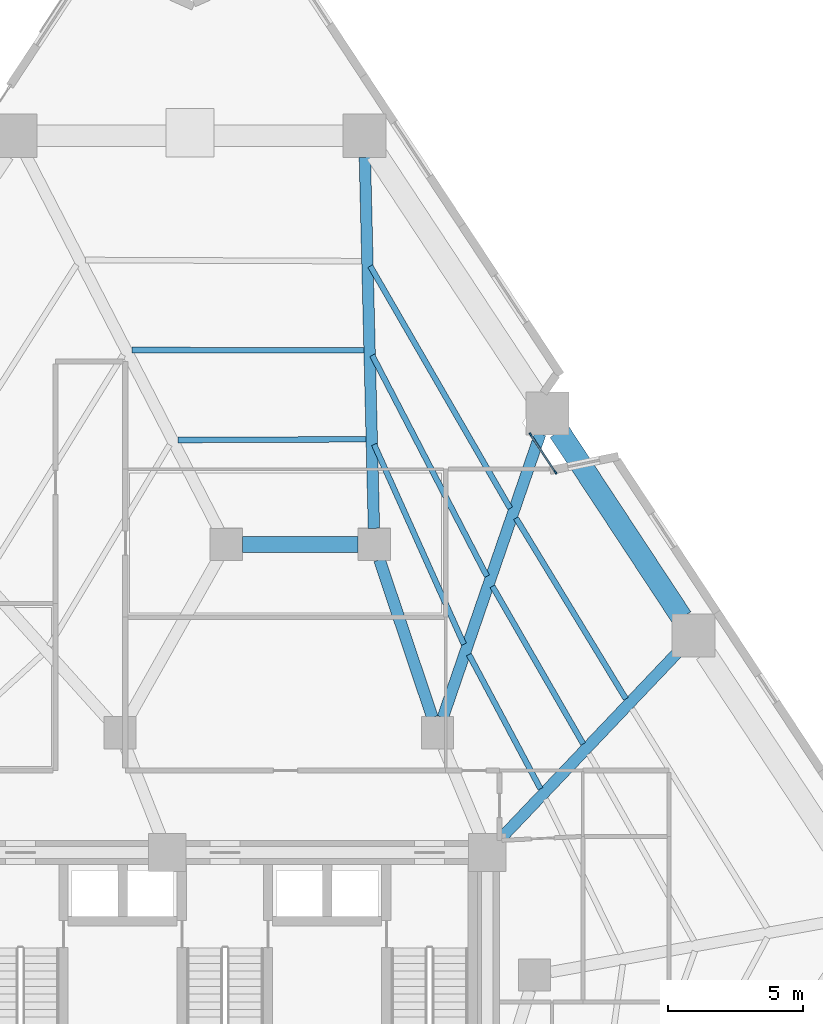
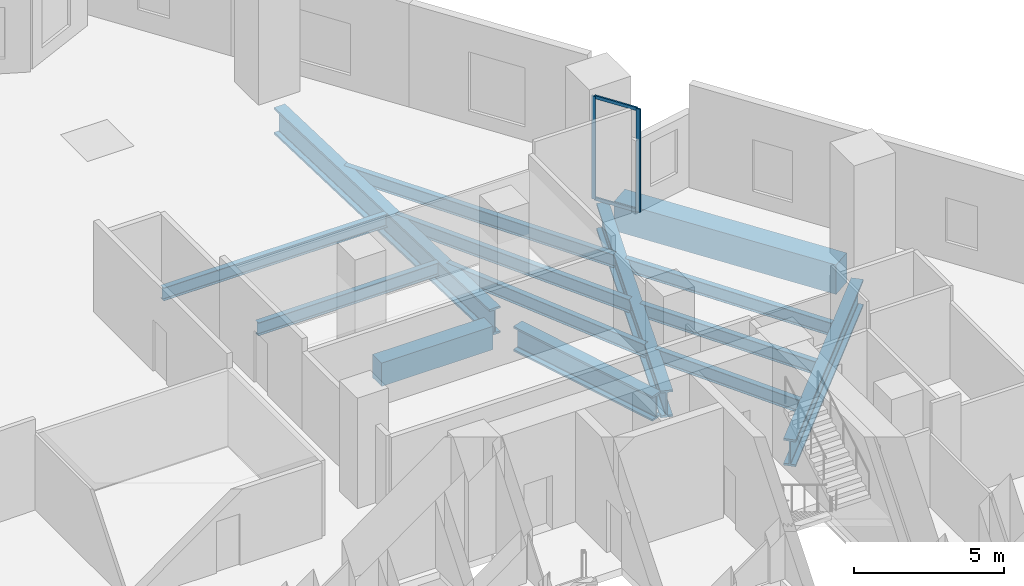
# One storey, part 4 of 12: 14 beams, 4 members, 1 element without a shape of its own.
"""IFC4 building model written with IfcOpenShell, lengths in metres."""

from ifc_helpers import new_model, si_unit, direction, frame, origin, origin_2d, place, context, subcontext, project, spatial, rectangle, i_section, extrude, material, layer, layer_set, material_profile, profile_set, type_object, element, aggregate, save


model = new_model("IFC4")

# Units and contexts
model_context = context("Model", 3, precision=1e-05, world=origin(), true_north=direction((0.0, 1.0)))
body_context = subcontext(model_context, "Body", "Model", "MODEL_VIEW")
ifc_project = project(units=[si_unit("LENGTHUNIT", "METRE"), si_unit("AREAUNIT", "SQUARE_METRE"), si_unit("VOLUMEUNIT", "CUBIC_METRE"), si_unit("PLANEANGLEUNIT", "RADIAN"), si_unit("MASSUNIT", "GRAM", prefix="KILO")], contexts=[model_context])

# Site, building, storey
site_placement = place(None, origin())
site = spatial("IfcSite", under=ifc_project, at=site_placement, CompositionType="ELEMENT")
building_placement = place(site_placement, origin())
building = spatial("IfcBuilding", under=site, at=building_placement, Name="Almagre Mirador Tower", CompositionType="ELEMENT")
storey_placement = place(building_placement, frame((0.0, 0.0, 17.39990234375)))
storey = spatial("IfcBuildingStorey", under=building, at=storey_placement, Name="L03", CompositionType="ELEMENT", Elevation=17.39990234375)

# Beams
ifc_material_1 = material(Name="Steel ASTM A992 Grade 50", Category="steel")
ifc_material_profile_1 = material_profile(ifc_material_1, i_section(OverallWidth=0.208984375, OverallDepth=0.532958984375, WebThickness=0.01025390625, FlangeThickness=0.015625, FilletRadius=0.01806640625, at=origin_2d()), Name="W21X62")
ifc_profile_set_1 = profile_set([ifc_material_profile_1], Name="Steel ASTM A992 Grade 50")
beam_type_1 = type_object("IfcBeamType", Name="BM-JST-W21X62", PredefinedType="JOIST", material=ifc_profile_set_1)
beam_1_placement = place(storey_placement, frame((52.198974609375, 20.46044921875, -0.56640625), z_axis=(-0.51960112959, 0.854408957191, 0.0), x_axis=(-0.854408957191, -0.51960112959, 0.0)))
element("IfcBeam", 1, at=beam_1_placement, inside=storey, type_object=beam_type_1, Name="L03 secondary floor joist PC06-PC07.1", PredefinedType="JOIST", context=body_context, shape_type="SweptSolid", body=[
    extrude(i_section(OverallWidth=0.208984375, OverallDepth=0.532958984375, WebThickness=0.01025390625, FlangeThickness=0.015625, FilletRadius=0.01806640625, at=origin_2d()), origin(), (0.0, 0.0, 1.0), 7.8623046875),
])
beam_2_placement = place(storey_placement, frame((50.611083984375, 18.7890625, -0.56640625), z_axis=(-0.498949643049, 0.866630978965, 0.0), x_axis=(-0.866630978965, -0.498949643049, 0.0)))
element("IfcBeam", 2, at=beam_2_placement, inside=storey, type_object=beam_type_1, Name="L03 secondary floor joist PC06-PC07.2", PredefinedType="JOIST", context=body_context, shape_type="SweptSolid", body=[
    extrude(i_section(OverallWidth=0.208984375, OverallDepth=0.532958984375, WebThickness=0.01025390625, FlangeThickness=0.015625, FilletRadius=0.01806640625, at=origin_2d()), origin(), (0.0, 0.0, 1.0), 6.7568359375),
])
beam_3_placement = place(storey_placement, frame((49.02490234375, 17.118408203125, -0.56640625), z_axis=(-0.470314940672, 0.882498643954, 0.0), x_axis=(-0.882498643954, -0.470314940672, 0.0)))
element("IfcBeam", 3, at=beam_3_placement, inside=storey, type_object=beam_type_1, Name="L03 secondary floor joist PC06-PC07.3", PredefinedType="JOIST", context=body_context, shape_type="SweptSolid", body=[
    extrude(i_section(OverallWidth=0.208984375, OverallDepth=0.532958984375, WebThickness=0.01025390625, FlangeThickness=0.015625, FilletRadius=0.01806640625, at=origin_2d()), origin(), (0.0, 0.0, 1.0), 5.6572265625),
])
beam_4_placement = place(storey_placement, frame((47.8974609375, 27.542724609375, -0.56640625), z_axis=(-0.50017037833, 0.865927013461, 0.0), x_axis=(-0.865927013461, -0.50017037833, 0.0)))
element("IfcBeam", 4, at=beam_4_placement, inside=storey, type_object=beam_type_1, Name="L03 secondary floor joist PC07-PC08.1", PredefinedType="JOIST", context=body_context, shape_type="SweptSolid", body=[
    extrude(i_section(OverallWidth=0.208984375, OverallDepth=0.532958984375, WebThickness=0.01025390625, FlangeThickness=0.015625, FilletRadius=0.01806640625, at=origin_2d()), origin(), (0.0, 0.0, 1.0), 10.394775390625),
])
beam_5_placement = place(storey_placement, frame((47.036376953125, 25.0166015625, -0.56640625), z_axis=(-0.460878402306, 0.887463294051, 0.0), x_axis=(-0.887463294051, -0.460878402306, 0.0)))
element("IfcBeam", 5, at=beam_5_placement, inside=storey, type_object=beam_type_1, Name="L03 secondary floor joist PC07-PC08.2", PredefinedType="JOIST", context=body_context, shape_type="SweptSolid", body=[
    extrude(i_section(OverallWidth=0.208984375, OverallDepth=0.532958984375, WebThickness=0.01025390625, FlangeThickness=0.015625, FilletRadius=0.01806640625, at=origin_2d()), origin(), (0.0, 0.0, 1.0), 9.2548828125),
])
beam_6_placement = place(storey_placement, frame((46.177490234375, 22.4912109375, -0.56640625), z_axis=(-0.409878217653, 0.912140256043, 0.0), x_axis=(-0.912140256043, -0.409878217653, 0.0)))
element("IfcBeam", 6, at=beam_6_placement, inside=storey, type_object=beam_type_1, Name="L03 secondary floor joist PC07-PC08.3", PredefinedType="JOIST", context=body_context, shape_type="SweptSolid", body=[
    extrude(i_section(OverallWidth=0.208984375, OverallDepth=0.532958984375, WebThickness=0.01025390625, FlangeThickness=0.015625, FilletRadius=0.01806640625, at=origin_2d()), origin(), (0.0, 0.0, 1.0), 8.139404296875),
])
beam_7_placement = place(storey_placement, frame((42.461181640625, 33.41845703125, -0.56640625), z_axis=(-0.999999614896, 0.000877614814, 0.0), x_axis=(-0.000877614814, -0.999999614896, 0.0)))
element("IfcBeam", 7, at=beam_7_placement, inside=storey, type_object=beam_type_1, Name="L03 secondary floor joist PC08-PC09.2", PredefinedType="JOIST", context=body_context, shape_type="SweptSolid", body=[
    extrude(i_section(OverallWidth=0.208984375, OverallDepth=0.532958984375, WebThickness=0.01025390625, FlangeThickness=0.015625, FilletRadius=0.01806640625, at=origin_2d()), origin(), (0.0, 0.0, 1.0), 8.623779296875),
])
beam_8_placement = place(storey_placement, frame((42.542236328125, 30.108154296875, -0.56640625), z_axis=(-0.999992189236, -0.003952400048, 0.0), x_axis=(0.003952400048, -0.999992189236, 0.0)))
element("IfcBeam", 8, at=beam_8_placement, inside=storey, type_object=beam_type_1, Name="L03 secondary floor joist PC08-PC09.3", PredefinedType="JOIST", context=body_context, shape_type="SweptSolid", body=[
    extrude(i_section(OverallWidth=0.208984375, OverallDepth=0.532958984375, WebThickness=0.01025390625, FlangeThickness=0.015625, FilletRadius=0.01806640625, at=origin_2d()), origin(), (0.0, 0.0, 1.0), 6.97998046875),
])
ifc_material_2 = material(Name="Concrete C60/75", Category="concrete")
ifc_material_profile_2 = material_profile(ifc_material_2, rectangle(XDim=0.60009765625, YDim=0.949951171875, at=origin_2d()), Name="RC600X950")
ifc_profile_set_2 = profile_set([ifc_material_profile_2], Name="Concrete C60/75")
beam_type_2 = type_object("IfcBeamType", Name="BM-LIN-RC600X950", PredefinedType="LINTEL", material=ifc_profile_set_2)
beam_9_placement = place(storey_placement, frame((37.949951171875, 26.199951171875, -0.77490234375), z_axis=(1.0, 0.0, 0.0), x_axis=(0.0, 1.0, 0.0)))
element("IfcBeam", 9, at=beam_9_placement, inside=storey, type_object=beam_type_2, Name="L03 coupled header lintel LN-01", PredefinedType="LINTEL", context=body_context, shape_type="SweptSolid", body=[
    extrude(rectangle(XDim=0.60009765625, YDim=0.949951171875, at=origin_2d()), origin(), (0.0, 0.0, 1.0), 4.300048828125),
])
ifc_material_3 = material(Name="Precast concrete C50/60", Category="concrete")
ifc_material_profile_3 = material_profile(ifc_material_3, rectangle(XDim=0.800048828125, YDim=1.199951171875, at=origin_2d()), Name="RC800X1200")
ifc_profile_set_3 = profile_set([ifc_material_profile_3], Name="Precast concrete C50/60")
beam_type_3 = type_object("IfcBeamType", Name="BM-SPN-RC800X1200", PredefinedType="SPANDREL", material=ifc_profile_set_3)
beam_10_placement = place(storey_placement, frame((54.27783203125, 23.47998046875, -0.89990234375), z_axis=(-0.55020506323, 0.835029573366, 0.0), x_axis=(-0.835029573366, -0.55020506323, 0.0)))
element("IfcBeam", 10, at=beam_10_placement, inside=storey, type_object=beam_type_3, Name="L03 perimeter spandrel beam PC06-PC07", PredefinedType="SPANDREL", context=body_context, shape_type="SweptSolid", body=[
    extrude(rectangle(XDim=0.800048828125, YDim=1.199951171875, at=origin_2d()), origin(), (0.0, 0.0, 1.0), 8.287109375),
])
ifc_material_4 = material(Name="Steel ASTM A992 Grade 50", Category="steel")
ifc_material_profile_4 = material_profile(ifc_material_4, i_section(OverallWidth=0.43701171875, OverallDepth=1.010986328125, WebThickness=0.041015625, FlangeThickness=0.073974609375, FilletRadius=0.028076171875, at=origin_2d()), Name="W36X529")
ifc_profile_set_4 = profile_set([ifc_material_profile_4], Name="Steel ASTM A992 Grade 50")
beam_type_4 = type_object("IfcBeamType", Name="BM-STL-W36X529", PredefinedType="BEAM", material=ifc_profile_set_4)
beam_11_placement = place(storey_placement, frame((43.041015625, 25.631103515625, -0.805419921875), z_axis=(0.318252395552, -0.948006019351, 0.0), x_axis=(0.948006019351, 0.318252395552, 0.0)))
element("IfcBeam", 11, at=beam_11_placement, inside=storey, type_object=beam_type_4, Name="L03 core tie girder MC6-MC5", PredefinedType="BEAM", context=body_context, shape_type="SweptSolid", body=[
    extrude(i_section(OverallWidth=0.43701171875, OverallDepth=1.010986328125, WebThickness=0.041015625, FlangeThickness=0.073974609375, FilletRadius=0.028076171875, at=origin_2d()), origin(), (0.0, 0.0, 1.0), 6.183837890625),
])
ifc_material_5 = material(Name="Steel ASTM A913 Grade 65", Category="steel")
ifc_material_profile_5 = material_profile(ifc_material_5, i_section(OverallWidth=0.424072265625, OverallDepth=1.092041015625, WebThickness=0.04541015625, FlangeThickness=0.08203125, FilletRadius=0.030029296875, at=origin_2d()), Name="W40X593")
ifc_profile_set_5 = profile_set([ifc_material_profile_5], Name="Steel ASTM A913 Grade 65")
beam_type_5 = type_object("IfcBeamType", Name="BM-STL-W40X593", PredefinedType="BEAM", material=ifc_profile_set_5)
beam_12_placement = place(storey_placement, frame((54.166748046875, 22.232421875, -0.845947265625), z_axis=(-0.689169924888, -0.724599761683, 0.0), x_axis=(0.724599761683, -0.689169924888, 0.0)))
element("IfcBeam", 12, at=beam_12_placement, inside=storey, type_object=beam_type_5, Name="L03 radial floor girder PC06-CC6", PredefinedType="BEAM", context=body_context, shape_type="SweptSolid", body=[
    extrude(i_section(OverallWidth=0.424072265625, OverallDepth=1.092041015625, WebThickness=0.04541015625, FlangeThickness=0.08203125, FilletRadius=0.030029296875, at=origin_2d()), origin(), (0.0, 0.0, 1.0), 9.62646484375),
])
beam_13_placement = place(storey_placement, frame((49.01806640625, 30.311279296875, -0.845947265625), z_axis=(-0.324964711331, -0.945726142384, 0.0), x_axis=(0.945726142384, -0.324964711331, 0.0)))
element("IfcBeam", 13, at=beam_13_placement, inside=storey, type_object=beam_type_5, Name="L03 radial floor girder PC07-MC5", PredefinedType="BEAM", context=body_context, shape_type="SweptSolid", body=[
    extrude(i_section(OverallWidth=0.424072265625, OverallDepth=1.092041015625, WebThickness=0.04541015625, FlangeThickness=0.08203125, FilletRadius=0.030029296875, at=origin_2d()), origin(), (0.0, 0.0, 1.0), 11.14892578125),
])
beam_14_placement = place(storey_placement, frame((42.49755859375, 40.588134765625, -0.845947265625), z_axis=(0.024480505786, -0.99970030751, 0.0), x_axis=(0.99970030751, 0.024480505786, 0.0)))
element("IfcBeam", 14, at=beam_14_placement, inside=storey, type_object=beam_type_5, Name="L03 radial floor girder PC08-MC6", PredefinedType="BEAM", context=body_context, shape_type="SweptSolid", body=[
    extrude(i_section(OverallWidth=0.424072265625, OverallDepth=1.092041015625, WebThickness=0.04541015625, FlangeThickness=0.08203125, FilletRadius=0.030029296875, at=origin_2d()), origin(), (0.0, 0.0, 1.0), 13.79248046875),
])

# Curtain wall, members
ifc_material_6 = material(Name="Black anodized aluminium", Category="aluminium")
ifc_layer = layer(ifc_material_6, 0.169921875)
ifc_layer_set = layer_set([ifc_layer], Name="Black anodized aluminium")
curtain_wall_type = type_object("IfcCurtainWallType", Name="CW-CRS-SYS", PredefinedType="NOTDEFINED", material=ifc_layer_set)
curtain_wall_placement = place(storey_placement, origin())
curtain_wall = element("IfcCurtainWall", 15, at=curtain_wall_placement, inside=storey, type_object=curtain_wall_type, Name="L03 vertical crease curtain wall 05", PredefinedType="NOTDEFINED")
ifc_material_7 = material(Name="Black anodized aluminium", Category="aluminium")
ifc_material_profile_6 = material_profile(ifc_material_7, rectangle(XDim=0.06005859375, YDim=0.14990234375, at=origin_2d()), Name="CWM60X150")
ifc_profile_set_6 = profile_set([ifc_material_profile_6], Name="Black anodized aluminium")
member_type_1 = type_object("IfcMemberType", Name="MBR-CWM60X150", PredefinedType="MULLION", material=ifc_profile_set_6)
member_1_placement = place(storey_placement, frame((48.658203125, 30.281005859375, 0.0), z_axis=(0.0, 0.0, 1.0), x_axis=(0.834990187855, 0.550264832772, 0.0)))
member_1 = element("IfcMember", 16, at=member_1_placement, type_object=member_type_1, Name="CW-4 mullion 1", PredefinedType="MULLION", context=body_context, shape_type="SweptSolid", body=[
    extrude(rectangle(XDim=0.06005859375, YDim=0.14990234375, at=origin_2d()), origin(), (0.0, 0.0, 1.0), 4.2001953125),
])
member_2_placement = place(storey_placement, frame((49.577392578125, 28.88623046875, 0.0), z_axis=(0.0, 0.0, 1.0), x_axis=(0.834990187855, 0.550264832772, 0.0)))
member_2 = element("IfcMember", 17, at=member_2_placement, type_object=member_type_1, Name="CW-4 mullion 2", PredefinedType="MULLION", context=body_context, shape_type="SweptSolid", body=[
    extrude(rectangle(XDim=0.06005859375, YDim=0.14990234375, at=origin_2d()), origin(), (0.0, 0.0, 1.0), 4.2001953125),
])
ifc_material_8 = material(Name="Black anodized aluminium", Category="aluminium")
ifc_material_profile_7 = material_profile(ifc_material_8, rectangle(XDim=0.06005859375, YDim=0.1298828125, at=origin_2d()), Name="CWT60X130")
ifc_profile_set_7 = profile_set([ifc_material_profile_7], Name="Black anodized aluminium")
member_type_2 = type_object("IfcMemberType", Name="MBR-CWT60X130", PredefinedType="USERDEFINED", material=ifc_profile_set_7)
member_3_placement = place(storey_placement, frame((48.6748046875, 30.255859375, 0.030029296875), z_axis=(0.550284538836, -0.834977201077, 0.0), x_axis=(0.834977201077, 0.550284538836, 0.0)))
member_3 = element("IfcMember", 18, at=member_3_placement, type_object=member_type_2, Name="CW-4 transom 1.1", ObjectType="TRANSOM", PredefinedType="USERDEFINED", context=body_context, shape_type="SweptSolid", body=[
    extrude(rectangle(XDim=0.06005859375, YDim=0.1298828125, at=origin_2d()), origin(), (0.0, 0.0, 1.0), 1.610595703125),
])
member_4_placement = place(storey_placement, frame((48.6748046875, 30.255859375, 4.170166015625), z_axis=(0.550284538836, -0.834977201077, 0.0), x_axis=(0.834977201077, 0.550284538836, 0.0)))
member_4 = element("IfcMember", 19, at=member_4_placement, type_object=member_type_2, Name="CW-4 transom 1.2", ObjectType="TRANSOM", PredefinedType="USERDEFINED", context=body_context, shape_type="SweptSolid", body=[
    extrude(rectangle(XDim=0.06005859375, YDim=0.1298828125, at=origin_2d()), origin(), (0.0, 0.0, 1.0), 1.610595703125),
])
aggregate(curtain_wall, [member_1, member_2, member_3, member_4])

save(model, "model.ifc")
